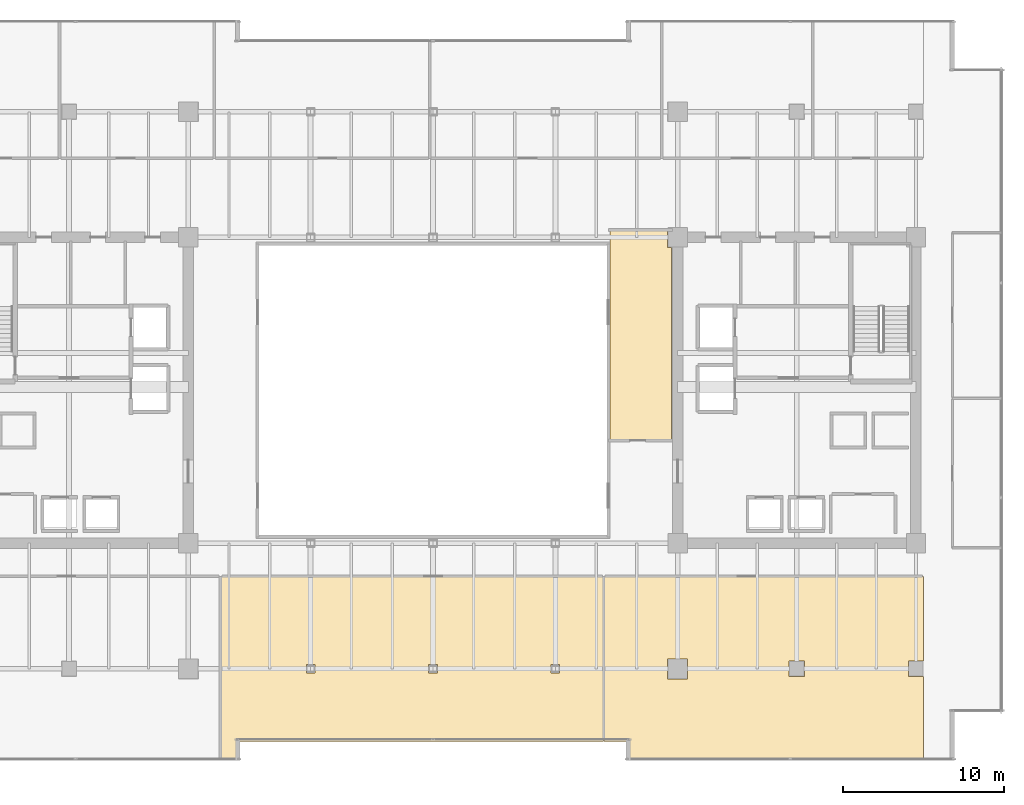
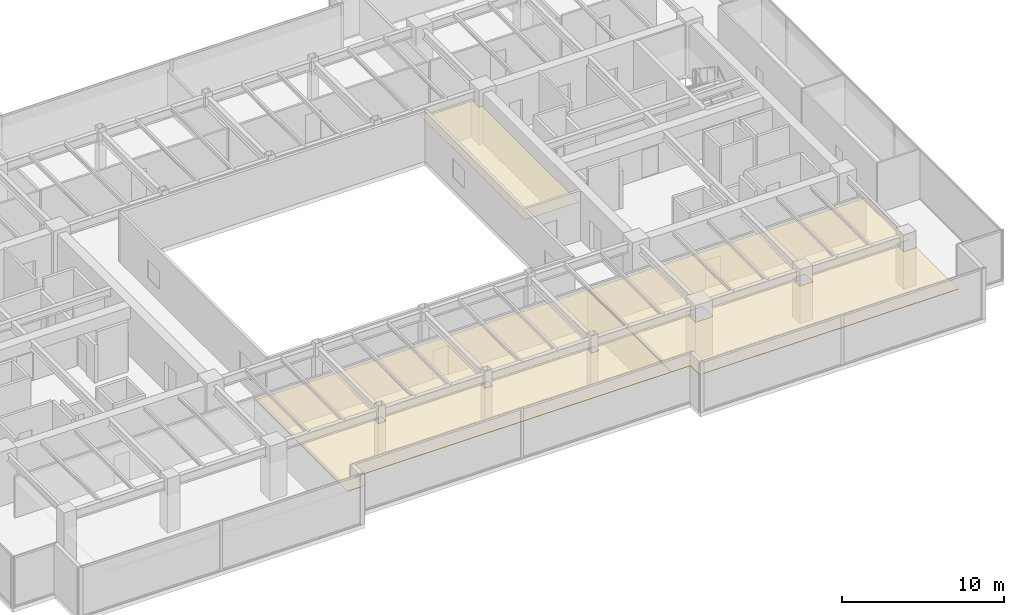
# One storey, part 31 of 33: 3 coverings.
"""IFC4 building model written with IfcOpenShell, lengths in metres."""

from ifc_helpers import new_model, si_unit, direction, frame, origin, place, context, subcontext, project, spatial, polyline, outline, extrude, material, layer, layer_set, type_object, element, save


model = new_model("IFC4")

# Units and contexts
model_context = context("Model", 3, precision=1e-05, world=origin(), true_north=direction((0.0, 1.0)))
body_context = subcontext(model_context, "Body", "Model", "MODEL_VIEW")
ifc_project = project(units=[si_unit("LENGTHUNIT", "METRE"), si_unit("AREAUNIT", "SQUARE_METRE"), si_unit("VOLUMEUNIT", "CUBIC_METRE"), si_unit("PLANEANGLEUNIT", "RADIAN"), si_unit("MASSUNIT", "GRAM", prefix="KILO")], contexts=[model_context])

# Site, building, storey
site_placement = place(None, origin())
site = spatial("IfcSite", under=ifc_project, at=site_placement, CompositionType="ELEMENT")
building_placement = place(site_placement, origin())
building = spatial("IfcBuilding", under=site, at=building_placement, Name="Haelvirn Gate Laboratories", CompositionType="ELEMENT")
storey_placement = place(building_placement, frame((0.0, 0.0, 133.800048828125)))
storey = spatial("IfcBuildingStorey", under=building, at=storey_placement, Name="L32", CompositionType="ELEMENT", Elevation=133.800048828125)

# Coverings
ifc_material = material(Name="Micro-perforated acoustic mineral-fibre laboratory ceiling")
ifc_layer = layer(ifc_material, 0.0400390625, Name="COV-CEIL-ACT")
ifc_layer_set = layer_set([ifc_layer], Name="Micro-perforated acoustic mineral-fibre laboratory ceiling")
covering_type = type_object("IfcCoveringType", Name="COV-CEIL-ACT", PredefinedType="CEILING", material=ifc_layer_set)
covering_1_placement = place(storey_placement, frame((0.0, 0.0, 2.820068359375)))
element("IfcCovering", 1, at=covering_1_placement, inside=storey, type_object=covering_type, Name="L32 Laboratory Acoustic Ceiling CEIL-SP-L32-ATRIUM-SEM", PredefinedType="CEILING", context=body_context, shape_type="SweptSolid", body=[
    extrude(outline(polyline([(52.2099609375, 21.219970703125), (48.389892578125, 21.219970703125), (48.389892578125, 34.239990234375), (51.97998046875, 34.239990234375), (51.97998046875, 33.179931640625), (52.2099609375, 33.179931640625), (52.2099609375, 21.219970703125)])), origin(), (0.0, 0.0, 1.0), 0.039794921875),
])
covering_2_placement = place(storey_placement, frame((0.0, 0.0, 2.820068359375)))
element("IfcCovering", 2, at=covering_2_placement, inside=storey, type_object=covering_type, Name="L32 Laboratory Acoustic Ceiling CEIL-SP-L32-S-02", PredefinedType="CEILING", context=body_context, shape_type="SweptSolid", body=[
    extrude(outline(polyline([(24.219970703125, 12.72998046875), (47.97998046875, 12.72998046875), (47.97998046875, 2.47998046875), (25.419921875, 2.47998046875), (25.419921875, 1.35009765625), (24.219970703125, 1.35009765625), (24.219970703125, 12.72998046875)]), holes=[polyline([(29.530029296875, 6.72998046875), (30.070068359375, 6.72998046875), (30.070068359375, 7.27001953125), (29.530029296875, 7.27001953125), (29.530029296875, 6.72998046875)]), polyline([(37.1298828125, 7.27001953125), (37.1298828125, 6.72998046875), (37.669921875, 6.72998046875), (37.669921875, 7.27001953125), (37.1298828125, 7.27001953125)]), polyline([(45.27001953125, 7.27001953125), (44.72998046875, 7.27001953125), (44.72998046875, 6.72998046875), (45.27001953125, 6.72998046875), (45.27001953125, 7.27001953125)])]), origin(), (0.0, 0.0, 1.0), 0.039794921875),
])
covering_3_placement = place(storey_placement, frame((0.0, 0.0, 2.820068359375)))
element("IfcCovering", 3, at=covering_3_placement, inside=storey, type_object=covering_type, Name="L32 Laboratory Acoustic Ceiling CEIL-SP-L32-S-03", PredefinedType="CEILING", context=body_context, shape_type="SweptSolid", body=[
    extrude(outline(polyline([(67.8798828125, 12.72998046875), (67.8798828125, 7.409912109375), (67.8701171875, 7.409912109375), (67.8701171875, 7.469970703125), (66.929931640625, 7.469970703125), (66.929931640625, 6.530029296875), (67.8701171875, 6.530029296875), (67.8701171875, 6.590087890625), (67.8798828125, 6.590087890625), (67.8798828125, 1.35009765625), (49.3798828125, 1.35009765625), (49.3798828125, 2.47998046875), (48.02001953125, 2.47998046875), (48.02001953125, 12.72998046875), (67.8798828125, 12.72998046875)]), holes=[polyline([(51.97998046875, 6.3798828125), (53.219970703125, 6.3798828125), (53.219970703125, 7.6201171875), (51.97998046875, 7.6201171875), (51.97998046875, 6.3798828125)]), polyline([(59.530029296875, 7.469970703125), (59.530029296875, 6.530029296875), (60.469970703125, 6.530029296875), (60.469970703125, 7.469970703125), (59.530029296875, 7.469970703125)])]), origin(), (0.0, 0.0, 1.0), 0.039794921875),
])

save(model, "model.ifc")
